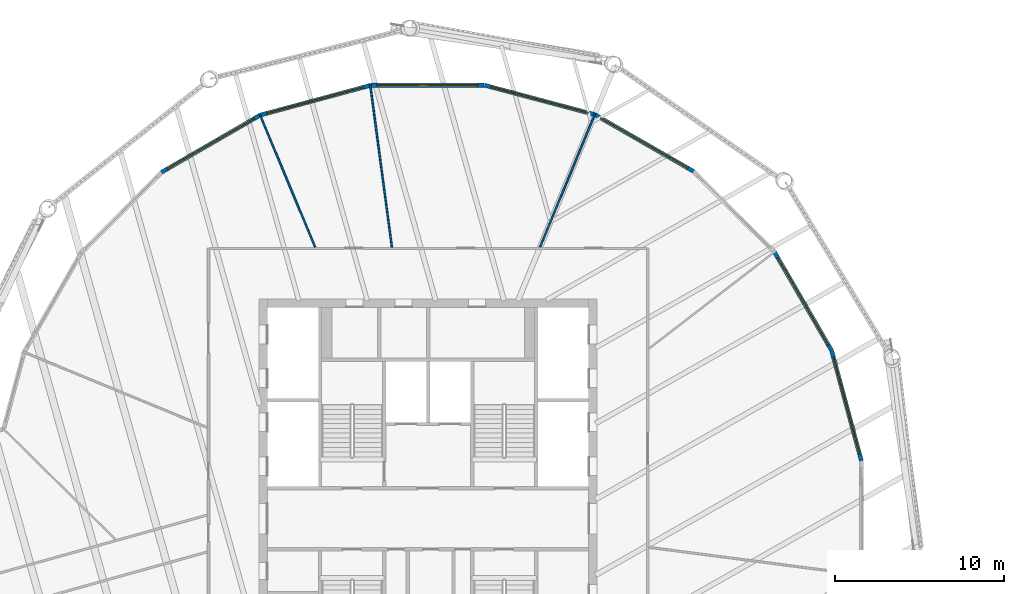
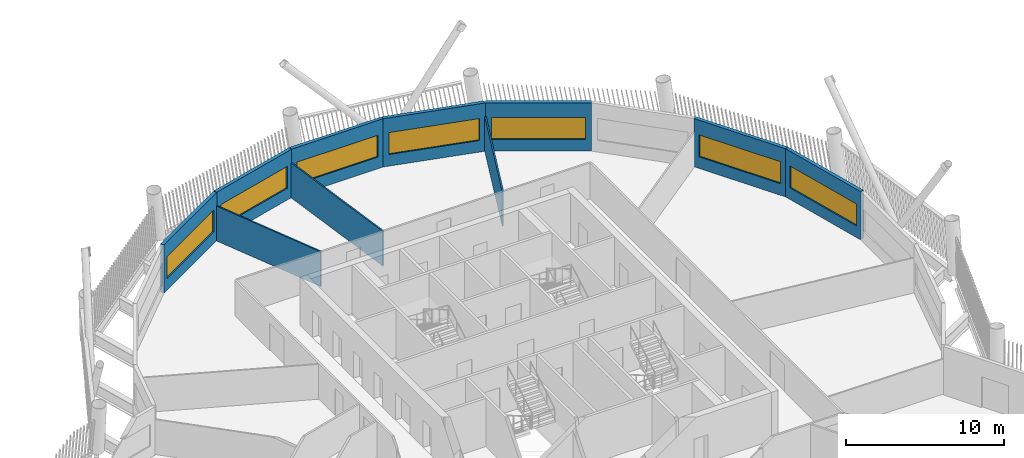
# One storey, part 7 of 21: 10 walls, 7 windows, 7 openings.
"""IFC4 building model written with IfcOpenShell, lengths in metres."""

from ifc_helpers import new_model, si_unit, direction, frame, frame_2d, origin, place, context, subcontext, project, spatial, rectangle, extrude, material, layer, layer_set, type_object, element, fill, save


model = new_model("IFC4")

# Units and contexts
model_context = context("Model", 3, precision=1e-05, world=origin(), true_north=direction((0.0, 1.0)))
body_context = subcontext(model_context, "Body", "Model", "MODEL_VIEW")
ifc_project = project(units=[si_unit("LENGTHUNIT", "METRE"), si_unit("AREAUNIT", "SQUARE_METRE"), si_unit("VOLUMEUNIT", "CUBIC_METRE"), si_unit("PLANEANGLEUNIT", "RADIAN"), si_unit("MASSUNIT", "GRAM", prefix="KILO")], contexts=[model_context])

# Site, building, storey
site_placement = place(None, origin())
site = spatial("IfcSite", under=ifc_project, at=site_placement, CompositionType="ELEMENT")
building_placement = place(site_placement, origin())
building = spatial("IfcBuilding", under=site, at=building_placement, Name="Tarsis Ring Headquarters", CompositionType="ELEMENT")
storey_placement = place(building_placement, frame((0.0, 0.0, 347.0)))
storey = spatial("IfcBuildingStorey", under=building, at=storey_placement, Name="L82", CompositionType="ELEMENT", Elevation=347.0)

# Walls
ifc_material_1 = material(Name="Gypsum board on steel studs", Category="steel")
ifc_layer_1 = layer(ifc_material_1, 0.10009765625)
ifc_layer_set_1 = layer_set([ifc_layer_1], Name="FL partition 100 unrated")
wall_type_1 = type_object("IfcWallType", Name="FL partition 100 unrated", PredefinedType="PARTITIONING", material=ifc_layer_set_1)
wall_1_placement = place(storey_placement, frame((-3.431884765625, 25.719970703125, 0.0), z_axis=(0.0, 0.0, 1.0), x_axis=(0.132273767196, -0.991213221518, 0.0)))
element("IfcWall", 1, at=wall_1_placement, inside=storey, type_object=wall_type_1, Name="Partition PW3", PredefinedType="PARTITIONING", context=body_context, shape_type="SweptSolid", body=[
    extrude(rectangle(XDim=9.736083984375, YDim=0.10009765625, at=frame_2d((4.8681640625, 0.0))), origin(), (0.0, 0.0, 1.0), 2.699951171875),
])
wall_2_placement = place(storey_placement, frame((6.625244140625, 16.073974609375, 0.0), z_axis=(0.0, 0.0, 1.0), x_axis=(0.381065296508, 0.924548127356, 0.0)))
element("IfcWall", 2, at=wall_2_placement, inside=storey, type_object=wall_type_1, Name="Partition PW3", PredefinedType="PARTITIONING", context=body_context, shape_type="SweptSolid", body=[
    extrude(rectangle(XDim=8.56201171875, YDim=0.10009765625, at=frame_2d((4.281005859375, 0.0))), origin(), (0.0, 0.0, 1.0), 2.699951171875),
])
wall_3_placement = place(storey_placement, frame((-9.9716796875, 23.955322265625, 0.0), z_axis=(0.0, 0.0, 1.0), x_axis=(0.384302643739, -0.923207169608, 0.0)))
element("IfcWall", 3, at=wall_3_placement, inside=storey, type_object=wall_type_1, Name="Partition PW3", PredefinedType="PARTITIONING", context=body_context, shape_type="SweptSolid", body=[
    extrude(rectangle(XDim=8.536865234375, YDim=0.10009765625, at=frame_2d((4.2685546875, 0.0))), origin(), (0.0, 0.0, 1.0), 2.699951171875),
])

# Wall, opening, window
ifc_material_2 = material(Name="Terracotta clad insulated panel wall", Category="masonry")
ifc_layer_2 = layer(ifc_material_2, 0.25)
ifc_layer_set_2 = layer_set([ifc_layer_2], Name="Facade wall terracotta panel 250")
wall_type_2 = type_object("IfcWallType", Name="Facade wall terracotta panel 250", PredefinedType="STANDARD", material=ifc_layer_set_2)
wall_4_placement = place(storey_placement, frame((25.642333984375, 3.43798828125, 0.0), z_axis=(0.0, 0.0, 1.0), x_axis=(-0.260510115094, 0.965471118125, 0.0)))
wall_4 = element("IfcWall", 4, at=wall_4_placement, inside=storey, type_object=wall_type_2, Name="External wall L82-20", PredefinedType="STANDARD", context=body_context, shape_type="SweptSolid", body=[
    extrude(rectangle(XDim=6.721435546875, YDim=0.25, at=frame_2d((3.36083984375, 0.0))), origin(), (0.0, 0.0, 1.0), 3.739990234375),
])
opening_1_placement = place(wall_4_placement, frame((0.3857421875, 0.0, 0.89990234375)))
opening_1 = element("IfcOpeningElement", 5, at=opening_1_placement, cuts=wall_4, Name="Opening WN07", PredefinedType="OPENING", context=body_context, shape_type="SweptSolid", body=[
    extrude(rectangle(XDim=5.949951171875, YDim=1.699951171875, at=frame_2d((2.97509765625, 0.85009765625))), frame((0.0, 0.135009765625, 0.0), z_axis=(0.0, -1.0, 0.0), x_axis=(1.0, 0.0, 0.0)), (0.0, 0.0, 1.0), 0.27001953125),
])
ifc_material_3 = material(Name="Aluminium framed double glazing", Category="aluminium")
window_type = type_object("IfcWindowType", Name="Facade window 5950 x 1700", PartitioningType="SINGLE_PANEL", PredefinedType="WINDOW", material=ifc_material_3)
window_1_placement = place(opening_1_placement, origin())
window_1 = element("IfcWindow", 6, at=window_1_placement, inside=storey, type_object=window_type, Name="Window L82-20.1", OverallHeight=1.699951171875, OverallWidth=5.949951171875, PartitioningType="SINGLE_PANEL", PredefinedType="WINDOW", context=body_context, shape_type="SweptSolid", body=[
    extrude(rectangle(XDim=5.949951171875, YDim=1.699951171875, at=frame_2d((2.97509765625, 0.85009765625))), frame((0.0, 0.030029296875, 0.0), z_axis=(0.0, -1.0, 0.0), x_axis=(1.0, 0.0, 0.0)), (0.0, 0.0, 1.0), 0.06005859375),
])
fill(opening_1, window_1)

wall_5_placement = place(storey_placement, frame((23.87890625, 9.95751953125, 0.0), z_axis=(0.0, 0.0, 1.0), x_axis=(-0.501527283692, 0.865141828669, 0.0)))
wall_5 = element("IfcWall", 7, at=wall_5_placement, inside=storey, type_object=wall_type_2, Name="External wall L82-21", PredefinedType="STANDARD", context=body_context, shape_type="SweptSolid", body=[
    extrude(rectangle(XDim=6.7216796875, YDim=0.25, at=frame_2d((3.36083984375, 0.0))), origin(), (0.0, 0.0, 1.0), 3.739990234375),
])
opening_2_placement = place(wall_5_placement, frame((0.3857421875, 0.0, 0.89990234375)))
opening_2 = element("IfcOpeningElement", 8, at=opening_2_placement, cuts=wall_5, Name="Opening WN07", PredefinedType="OPENING", context=body_context, shape_type="SweptSolid", body=[
    extrude(rectangle(XDim=5.949951171875, YDim=1.699951171875, at=frame_2d((2.97509765625, 0.85009765625))), frame((0.0, 0.135009765625, 0.0), z_axis=(0.0, -1.0, 0.0), x_axis=(1.0, 0.0, 0.0)), (0.0, 0.0, 1.0), 0.27001953125),
])
window_2_placement = place(opening_2_placement, origin())
window_2 = element("IfcWindow", 9, at=window_2_placement, inside=storey, type_object=window_type, Name="Window L82-21.1", OverallHeight=1.699951171875, OverallWidth=5.949951171875, PartitioningType="SINGLE_PANEL", PredefinedType="WINDOW", context=body_context, shape_type="SweptSolid", body=[
    extrude(rectangle(XDim=5.949951171875, YDim=1.699951171875, at=frame_2d((2.97509765625, 0.85009765625))), frame((0.0, 0.030029296875, 0.0), z_axis=(0.0, -1.0, 0.0), x_axis=(1.0, 0.0, 0.0)), (0.0, 0.0, 1.0), 0.06005859375),
])
fill(opening_2, window_2)

wall_6_placement = place(storey_placement, frame((15.700927734375, 20.562744140625, 0.0), z_axis=(0.0, 0.0, 1.0), x_axis=(-0.866898847468, 0.498484090277, 0.0)))
wall_6 = element("IfcWall", 10, at=wall_6_placement, inside=storey, type_object=wall_type_2, Name="External wall L82-23", PredefinedType="STANDARD", context=body_context, shape_type="SweptSolid", body=[
    extrude(rectangle(XDim=6.721435546875, YDim=0.25, at=frame_2d((3.36083984375, 0.0))), origin(), (0.0, 0.0, 1.0), 3.739990234375),
])
opening_3_placement = place(wall_6_placement, frame((0.3857421875, 0.0, 0.89990234375)))
opening_3 = element("IfcOpeningElement", 11, at=opening_3_placement, cuts=wall_6, Name="Opening WN07", PredefinedType="OPENING", context=body_context, shape_type="SweptSolid", body=[
    extrude(rectangle(XDim=5.949951171875, YDim=1.699951171875, at=frame_2d((2.97509765625, 0.85009765625))), frame((0.0, 0.135009765625, 0.0), z_axis=(0.0, -1.0, 0.0), x_axis=(1.0, 0.0, 0.0)), (0.0, 0.0, 1.0), 0.27001953125),
])
window_3_placement = place(opening_3_placement, origin())
window_3 = element("IfcWindow", 12, at=window_3_placement, inside=storey, type_object=window_type, Name="Window L82-23.1", OverallHeight=1.699951171875, OverallWidth=5.949951171875, PartitioningType="SINGLE_PANEL", PredefinedType="WINDOW", context=body_context, shape_type="SweptSolid", body=[
    extrude(rectangle(XDim=5.949951171875, YDim=1.699951171875, at=frame_2d((2.97509765625, 0.85009765625))), frame((0.0, 0.030029296875, 0.0), z_axis=(0.0, -1.0, 0.0), x_axis=(1.0, 0.0, 0.0)), (0.0, 0.0, 1.0), 0.06005859375),
])
fill(opening_3, window_3)

wall_7_placement = place(storey_placement, frame((9.843994140625, 23.92578125, 0.0), z_axis=(0.0, 0.0, 1.0), x_axis=(-0.966369844517, 0.257156224129, 0.0)))
wall_7 = element("IfcWall", 13, at=wall_7_placement, inside=storey, type_object=wall_type_2, Name="External wall L82-24", PredefinedType="STANDARD", context=body_context, shape_type="SweptSolid", body=[
    extrude(rectangle(XDim=6.7216796875, YDim=0.25, at=frame_2d((3.36083984375, 0.0))), origin(), (0.0, 0.0, 1.0), 3.739990234375),
])
opening_4_placement = place(wall_7_placement, frame((0.3857421875, 0.0, 0.89990234375)))
opening_4 = element("IfcOpeningElement", 14, at=opening_4_placement, cuts=wall_7, Name="Opening WN07", PredefinedType="OPENING", context=body_context, shape_type="SweptSolid", body=[
    extrude(rectangle(XDim=5.949951171875, YDim=1.699951171875, at=frame_2d((2.97509765625, 0.85009765625))), frame((0.0, 0.135009765625, 0.0), z_axis=(0.0, -1.0, 0.0), x_axis=(1.0, 0.0, 0.0)), (0.0, 0.0, 1.0), 0.27001953125),
])
window_4_placement = place(opening_4_placement, origin())
window_4 = element("IfcWindow", 15, at=window_4_placement, inside=storey, type_object=window_type, Name="Window L82-24.1", OverallHeight=1.699951171875, OverallWidth=5.949951171875, PartitioningType="SINGLE_PANEL", PredefinedType="WINDOW", context=body_context, shape_type="SweptSolid", body=[
    extrude(rectangle(XDim=5.949951171875, YDim=1.699951171875, at=frame_2d((2.97509765625, 0.85009765625))), frame((0.0, 0.030029296875, 0.0), z_axis=(0.0, -1.0, 0.0), x_axis=(1.0, 0.0, 0.0)), (0.0, 0.0, 1.0), 0.06005859375),
])
fill(opening_4, window_4)

wall_8_placement = place(storey_placement, frame((3.31591796875, 25.658447265625, 0.0), z_axis=(0.0, 0.0, 1.0), x_axis=(-0.999998480126, -0.001743486508, 0.0)))
wall_8 = element("IfcWall", 16, at=wall_8_placement, inside=storey, type_object=wall_type_2, Name="External wall L82-25", PredefinedType="STANDARD", context=body_context, shape_type="SweptSolid", body=[
    extrude(rectangle(XDim=6.721435546875, YDim=0.25, at=frame_2d((3.36083984375, 0.0))), origin(), (0.0, 0.0, 1.0), 3.739990234375),
])
opening_5_placement = place(wall_8_placement, frame((0.3857421875, 0.0, 0.89990234375)))
opening_5 = element("IfcOpeningElement", 17, at=opening_5_placement, cuts=wall_8, Name="Opening WN07", PredefinedType="OPENING", context=body_context, shape_type="SweptSolid", body=[
    extrude(rectangle(XDim=5.949951171875, YDim=1.699951171875, at=frame_2d((2.97509765625, 0.85009765625))), frame((0.0, 0.135009765625, 0.0), z_axis=(0.0, -1.0, 0.0), x_axis=(1.0, 0.0, 0.0)), (0.0, 0.0, 1.0), 0.27001953125),
])
window_5_placement = place(opening_5_placement, origin())
window_5 = element("IfcWindow", 18, at=window_5_placement, inside=storey, type_object=window_type, Name="Window L82-25.1", OverallHeight=1.699951171875, OverallWidth=5.949951171875, PartitioningType="SINGLE_PANEL", PredefinedType="WINDOW", context=body_context, shape_type="SweptSolid", body=[
    extrude(rectangle(XDim=5.949951171875, YDim=1.699951171875, at=frame_2d((2.97509765625, 0.85009765625))), frame((0.0, 0.030029296875, 0.0), z_axis=(0.0, -1.0, 0.0), x_axis=(1.0, 0.0, 0.0)), (0.0, 0.0, 1.0), 0.06005859375),
])
fill(opening_5, window_5)

wall_9_placement = place(storey_placement, frame((-3.43798828125, 25.642333984375, 0.0), z_axis=(0.0, 0.0, 1.0), x_axis=(-0.965471118125, -0.260510115094, 0.0)))
wall_9 = element("IfcWall", 19, at=wall_9_placement, inside=storey, type_object=wall_type_2, Name="External wall L82-26", PredefinedType="STANDARD", context=body_context, shape_type="SweptSolid", body=[
    extrude(rectangle(XDim=6.721435546875, YDim=0.25, at=frame_2d((3.36083984375, 0.0))), origin(), (0.0, 0.0, 1.0), 3.739990234375),
])
opening_6_placement = place(wall_9_placement, frame((0.3857421875, 0.0, 0.89990234375)))
opening_6 = element("IfcOpeningElement", 20, at=opening_6_placement, cuts=wall_9, Name="Opening WN07", PredefinedType="OPENING", context=body_context, shape_type="SweptSolid", body=[
    extrude(rectangle(XDim=5.949951171875, YDim=1.699951171875, at=frame_2d((2.97509765625, 0.85009765625))), frame((0.0, 0.135009765625, 0.0), z_axis=(0.0, -1.0, 0.0), x_axis=(1.0, 0.0, 0.0)), (0.0, 0.0, 1.0), 0.27001953125),
])
window_6_placement = place(opening_6_placement, origin())
window_6 = element("IfcWindow", 21, at=window_6_placement, inside=storey, type_object=window_type, Name="Window L82-26.1", OverallHeight=1.699951171875, OverallWidth=5.949951171875, PartitioningType="SINGLE_PANEL", PredefinedType="WINDOW", context=body_context, shape_type="SweptSolid", body=[
    extrude(rectangle(XDim=5.949951171875, YDim=1.699951171875, at=frame_2d((2.97509765625, 0.85009765625))), frame((0.0, 0.030029296875, 0.0), z_axis=(0.0, -1.0, 0.0), x_axis=(1.0, 0.0, 0.0)), (0.0, 0.0, 1.0), 0.06005859375),
])
fill(opening_6, window_6)

wall_10_placement = place(storey_placement, frame((-9.95751953125, 23.87890625, 0.0), z_axis=(0.0, 0.0, 1.0), x_axis=(-0.865141828669, -0.501527283692, 0.0)))
wall_10 = element("IfcWall", 22, at=wall_10_placement, inside=storey, type_object=wall_type_2, Name="External wall L82-27", PredefinedType="STANDARD", context=body_context, shape_type="SweptSolid", body=[
    extrude(rectangle(XDim=6.7216796875, YDim=0.25, at=frame_2d((3.36083984375, 0.0))), origin(), (0.0, 0.0, 1.0), 3.739990234375),
])
opening_7_placement = place(wall_10_placement, frame((0.3857421875, 0.0, 0.89990234375)))
opening_7 = element("IfcOpeningElement", 23, at=opening_7_placement, cuts=wall_10, Name="Opening WN07", PredefinedType="OPENING", context=body_context, shape_type="SweptSolid", body=[
    extrude(rectangle(XDim=5.949951171875, YDim=1.699951171875, at=frame_2d((2.97509765625, 0.85009765625))), frame((0.0, 0.135009765625, 0.0), z_axis=(0.0, -1.0, 0.0), x_axis=(1.0, 0.0, 0.0)), (0.0, 0.0, 1.0), 0.27001953125),
])
window_7_placement = place(opening_7_placement, origin())
window_7 = element("IfcWindow", 24, at=window_7_placement, inside=storey, type_object=window_type, Name="Window L82-27.1", OverallHeight=1.699951171875, OverallWidth=5.949951171875, PartitioningType="SINGLE_PANEL", PredefinedType="WINDOW", context=body_context, shape_type="SweptSolid", body=[
    extrude(rectangle(XDim=5.949951171875, YDim=1.699951171875, at=frame_2d((2.97509765625, 0.85009765625))), frame((0.0, 0.030029296875, 0.0), z_axis=(0.0, -1.0, 0.0), x_axis=(1.0, 0.0, 0.0)), (0.0, 0.0, 1.0), 0.06005859375),
])
fill(opening_7, window_7)

save(model, "model.ifc")
